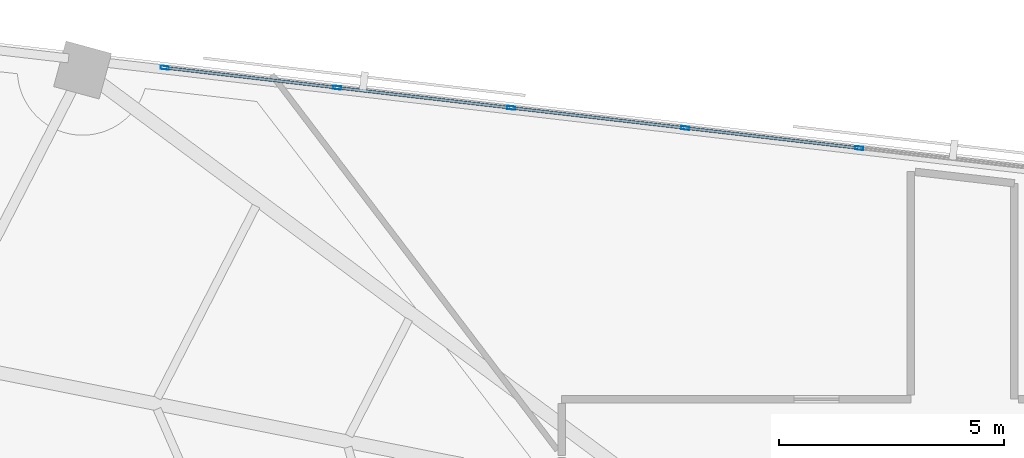
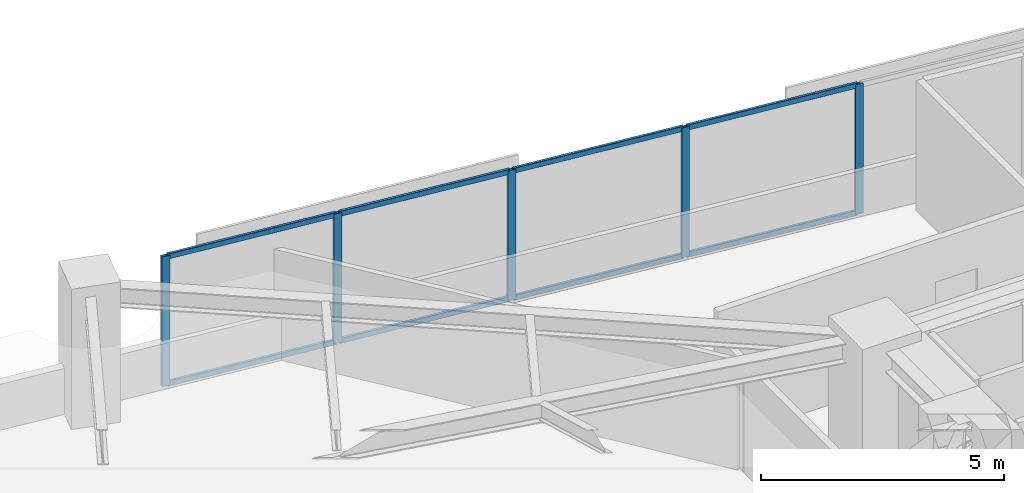
# One storey, part 7 of 14: 13 members, 1 element without a shape of its own.
"""IFC4 building model written with IfcOpenShell, lengths in metres."""

from ifc_helpers import new_model, si_unit, direction, frame, origin, origin_2d, place, context, subcontext, project, spatial, hollow_rectangle, extrude, material, material_profile, profile_set, type_object, element, aggregate, save


model = new_model("IFC4")

# Units and contexts
model_context = context("Model", 3, precision=1e-05, world=origin(), true_north=direction((0.0, 1.0)))
body_context = subcontext(model_context, "Body", "Model", "MODEL_VIEW")
ifc_project = project(units=[si_unit("LENGTHUNIT", "METRE"), si_unit("AREAUNIT", "SQUARE_METRE"), si_unit("VOLUMEUNIT", "CUBIC_METRE"), si_unit("PLANEANGLEUNIT", "RADIAN"), si_unit("MASSUNIT", "GRAM", prefix="KILO")], contexts=[model_context])

# Site, building, storey
site_placement = place(None, origin())
site = spatial("IfcSite", under=ifc_project, at=site_placement, CompositionType="ELEMENT")
building_placement = place(site_placement, origin())
building = spatial("IfcBuilding", under=site, at=building_placement, Name="Narakoshi Arena Tower", CompositionType="ELEMENT")
storey_placement = place(building_placement, frame((0.0, 0.0, 204.419921875)))
storey = spatial("IfcBuildingStorey", under=building, at=storey_placement, Name="L55", CompositionType="ELEMENT", Elevation=204.419921875)

# Curtain wall, members
ifc_material = material(Name="Anodised bronze aluminium 6063-T6", Category="aluminium")
curtain_wall_type = type_object("IfcCurtainWallType", Name="CW-HYP-MID", PredefinedType="NOTDEFINED", material=ifc_material)
curtain_wall_placement = place(storey_placement, origin())
curtain_wall = element("IfcCurtainWall", 1, at=curtain_wall_placement, inside=storey, type_object=curtain_wall_type, Name="L55 Folded Hypotenuse Curtain Wall 2-1", PredefinedType="NOTDEFINED")
ifc_material_profile_1 = material_profile(ifc_material, hollow_rectangle(XDim=0.074951171875, YDim=0.179931640625, WallThickness=0.00390625, OuterFilletRadius=0.0048828125, at=origin_2d()), Name="MUL180x75x4")
ifc_profile_set_1 = profile_set([ifc_material_profile_1], Name="Anodised bronze aluminium 6063-T6")
member_type_1 = type_object("IfcMemberType", Name="MEM-MUL-180", PredefinedType="MULLION", material=ifc_profile_set_1)
member_1_placement = place(storey_placement, frame((76.20068359375, 64.446533203125, 0.0), z_axis=(0.0, 0.0, 1.0), x_axis=(-0.115011296816, -0.993364183774, 0.0)))
member_1 = element("IfcMember", 2, at=member_1_placement, type_object=member_type_1, Name="CW-02 mullion 3", PredefinedType="MULLION", context=body_context, shape_type="SweptSolid", body=[
    extrude(hollow_rectangle(XDim=0.074951171875, YDim=0.179931640625, WallThickness=0.00390625, OuterFilletRadius=0.0048828125, at=origin_2d()), origin(), (0.0, 0.0, 1.0), 3.260009765625),
])
member_2_placement = place(storey_placement, frame((72.33154296875, 64.894287109375, 0.0), z_axis=(0.0, 0.0, 1.0), x_axis=(-0.115011296816, -0.993364183774, 0.0)))
member_2 = element("IfcMember", 3, at=member_2_placement, type_object=member_type_1, Name="CW-02 mullion 4", PredefinedType="MULLION", context=body_context, shape_type="SweptSolid", body=[
    extrude(hollow_rectangle(XDim=0.074951171875, YDim=0.179931640625, WallThickness=0.00390625, OuterFilletRadius=0.0048828125, at=origin_2d()), origin(), (0.0, 0.0, 1.0), 3.260009765625),
])
member_3_placement = place(storey_placement, frame((68.46240234375, 65.34228515625, 0.0), z_axis=(0.0, 0.0, 1.0), x_axis=(-0.115011296816, -0.993364183774, 0.0)))
member_3 = element("IfcMember", 4, at=member_3_placement, type_object=member_type_1, Name="CW-02 mullion 5", PredefinedType="MULLION", context=body_context, shape_type="SweptSolid", body=[
    extrude(hollow_rectangle(XDim=0.074951171875, YDim=0.179931640625, WallThickness=0.00390625, OuterFilletRadius=0.0048828125, at=origin_2d()), origin(), (0.0, 0.0, 1.0), 3.260009765625),
])
member_4_placement = place(storey_placement, frame((64.59326171875, 65.790283203125, 0.0), z_axis=(0.0, 0.0, 1.0), x_axis=(-0.115011296816, -0.993364183774, 0.0)))
member_4 = element("IfcMember", 5, at=member_4_placement, type_object=member_type_1, Name="CW-02 mullion 6", PredefinedType="MULLION", context=body_context, shape_type="SweptSolid", body=[
    extrude(hollow_rectangle(XDim=0.074951171875, YDim=0.179931640625, WallThickness=0.00390625, OuterFilletRadius=0.0048828125, at=origin_2d()), origin(), (0.0, 0.0, 1.0), 3.260009765625),
])
member_5_placement = place(storey_placement, frame((60.76123046875, 66.23388671875, 0.0), z_axis=(0.0, 0.0, 1.0), x_axis=(-0.115011296816, -0.993364183774, 0.0)))
member_5 = element("IfcMember", 6, at=member_5_placement, type_object=member_type_1, Name="CW-02 mullion 7", PredefinedType="MULLION", context=body_context, shape_type="SweptSolid", body=[
    extrude(hollow_rectangle(XDim=0.074951171875, YDim=0.179931640625, WallThickness=0.00390625, OuterFilletRadius=0.0048828125, at=origin_2d()), origin(), (0.0, 0.0, 1.0), 3.260009765625),
])
ifc_material_profile_2 = material_profile(ifc_material, hollow_rectangle(XDim=0.06494140625, YDim=0.1298828125, WallThickness=0.00390625, OuterFilletRadius=0.0048828125, at=origin_2d()), Name="TRN130x65x4")
ifc_profile_set_2 = profile_set([ifc_material_profile_2], Name="Anodised bronze aluminium 6063-T6")
member_type_2 = type_object("IfcMemberType", Name="MEM-TRN-130", PredefinedType="USERDEFINED", material=ifc_profile_set_2)
member_6_placement = place(storey_placement, frame((76.163330078125, 64.45068359375, 0.032470703125), z_axis=(-0.993360986362, 0.115038909828, 0.0), x_axis=(-0.115038909828, -0.993360986362, 0.0)))
member_6 = element("IfcMember", 7, at=member_6_placement, type_object=member_type_2, Name="CW-02 transom 3.1", ObjectType="TRANSOM", PredefinedType="USERDEFINED", context=body_context, shape_type="SweptSolid", body=[
    extrude(hollow_rectangle(XDim=0.06494140625, YDim=0.1298828125, WallThickness=0.00390625, OuterFilletRadius=0.0048828125, at=origin_2d()), origin(), (0.0, 0.0, 1.0), 3.820068359375),
])
member_7_placement = place(storey_placement, frame((76.163330078125, 64.45068359375, 3.2275390625), z_axis=(-0.993360986362, 0.115038909828, 0.0), x_axis=(-0.115038909828, -0.993360986362, 0.0)))
member_7 = element("IfcMember", 8, at=member_7_placement, type_object=member_type_2, Name="CW-02 transom 3.2", ObjectType="TRANSOM", PredefinedType="USERDEFINED", context=body_context, shape_type="SweptSolid", body=[
    extrude(hollow_rectangle(XDim=0.06494140625, YDim=0.1298828125, WallThickness=0.00390625, OuterFilletRadius=0.0048828125, at=origin_2d()), origin(), (0.0, 0.0, 1.0), 3.820068359375),
])
member_8_placement = place(storey_placement, frame((72.294189453125, 64.898681640625, 0.032470703125), z_axis=(-0.993360986362, 0.115038909828, 0.0), x_axis=(-0.115038909828, -0.993360986362, 0.0)))
member_8 = element("IfcMember", 9, at=member_8_placement, type_object=member_type_2, Name="CW-02 transom 4.1", ObjectType="TRANSOM", PredefinedType="USERDEFINED", context=body_context, shape_type="SweptSolid", body=[
    extrude(hollow_rectangle(XDim=0.06494140625, YDim=0.1298828125, WallThickness=0.00390625, OuterFilletRadius=0.0048828125, at=origin_2d()), origin(), (0.0, 0.0, 1.0), 3.820068359375),
])
member_9_placement = place(storey_placement, frame((72.294189453125, 64.898681640625, 3.2275390625), z_axis=(-0.993360986362, 0.115038909828, 0.0), x_axis=(-0.115038909828, -0.993360986362, 0.0)))
member_9 = element("IfcMember", 10, at=member_9_placement, type_object=member_type_2, Name="CW-02 transom 4.2", ObjectType="TRANSOM", PredefinedType="USERDEFINED", context=body_context, shape_type="SweptSolid", body=[
    extrude(hollow_rectangle(XDim=0.06494140625, YDim=0.1298828125, WallThickness=0.00390625, OuterFilletRadius=0.0048828125, at=origin_2d()), origin(), (0.0, 0.0, 1.0), 3.820068359375),
])
member_10_placement = place(storey_placement, frame((68.425048828125, 65.3466796875, 0.032470703125), z_axis=(-0.993360986362, 0.115038909828, 0.0), x_axis=(-0.115038909828, -0.993360986362, 0.0)))
member_10 = element("IfcMember", 11, at=member_10_placement, type_object=member_type_2, Name="CW-02 transom 5.1", ObjectType="TRANSOM", PredefinedType="USERDEFINED", context=body_context, shape_type="SweptSolid", body=[
    extrude(hollow_rectangle(XDim=0.06494140625, YDim=0.1298828125, WallThickness=0.00390625, OuterFilletRadius=0.0048828125, at=origin_2d()), origin(), (0.0, 0.0, 1.0), 3.820068359375),
])
member_11_placement = place(storey_placement, frame((68.425048828125, 65.3466796875, 3.2275390625), z_axis=(-0.993360986362, 0.115038909828, 0.0), x_axis=(-0.115038909828, -0.993360986362, 0.0)))
member_11 = element("IfcMember", 12, at=member_11_placement, type_object=member_type_2, Name="CW-02 transom 5.2", ObjectType="TRANSOM", PredefinedType="USERDEFINED", context=body_context, shape_type="SweptSolid", body=[
    extrude(hollow_rectangle(XDim=0.06494140625, YDim=0.1298828125, WallThickness=0.00390625, OuterFilletRadius=0.0048828125, at=origin_2d()), origin(), (0.0, 0.0, 1.0), 3.820068359375),
])
member_12_placement = place(storey_placement, frame((64.555908203125, 65.794677734375, 0.032470703125), z_axis=(-0.993363061903, 0.115020986115, 0.0), x_axis=(-0.115020986115, -0.993363061903, 0.0)))
member_12 = element("IfcMember", 13, at=member_12_placement, type_object=member_type_2, Name="CW-02 transom 6.1", ObjectType="TRANSOM", PredefinedType="USERDEFINED", context=body_context, shape_type="SweptSolid", body=[
    extrude(hollow_rectangle(XDim=0.06494140625, YDim=0.1298828125, WallThickness=0.00390625, OuterFilletRadius=0.0048828125, at=origin_2d()), origin(), (0.0, 0.0, 1.0), 3.782470703125),
])
member_13_placement = place(storey_placement, frame((64.555908203125, 65.794677734375, 3.2275390625), z_axis=(-0.993363061903, 0.115020986115, 0.0), x_axis=(-0.115020986115, -0.993363061903, 0.0)))
member_13 = element("IfcMember", 14, at=member_13_placement, type_object=member_type_2, Name="CW-02 transom 6.2", ObjectType="TRANSOM", PredefinedType="USERDEFINED", context=body_context, shape_type="SweptSolid", body=[
    extrude(hollow_rectangle(XDim=0.06494140625, YDim=0.1298828125, WallThickness=0.00390625, OuterFilletRadius=0.0048828125, at=origin_2d()), origin(), (0.0, 0.0, 1.0), 3.782470703125),
])
aggregate(curtain_wall, [member_1, member_2, member_3, member_4, member_5, member_6, member_7, member_8, member_9, member_10, member_11, member_12, member_13])

save(model, "model.ifc")
